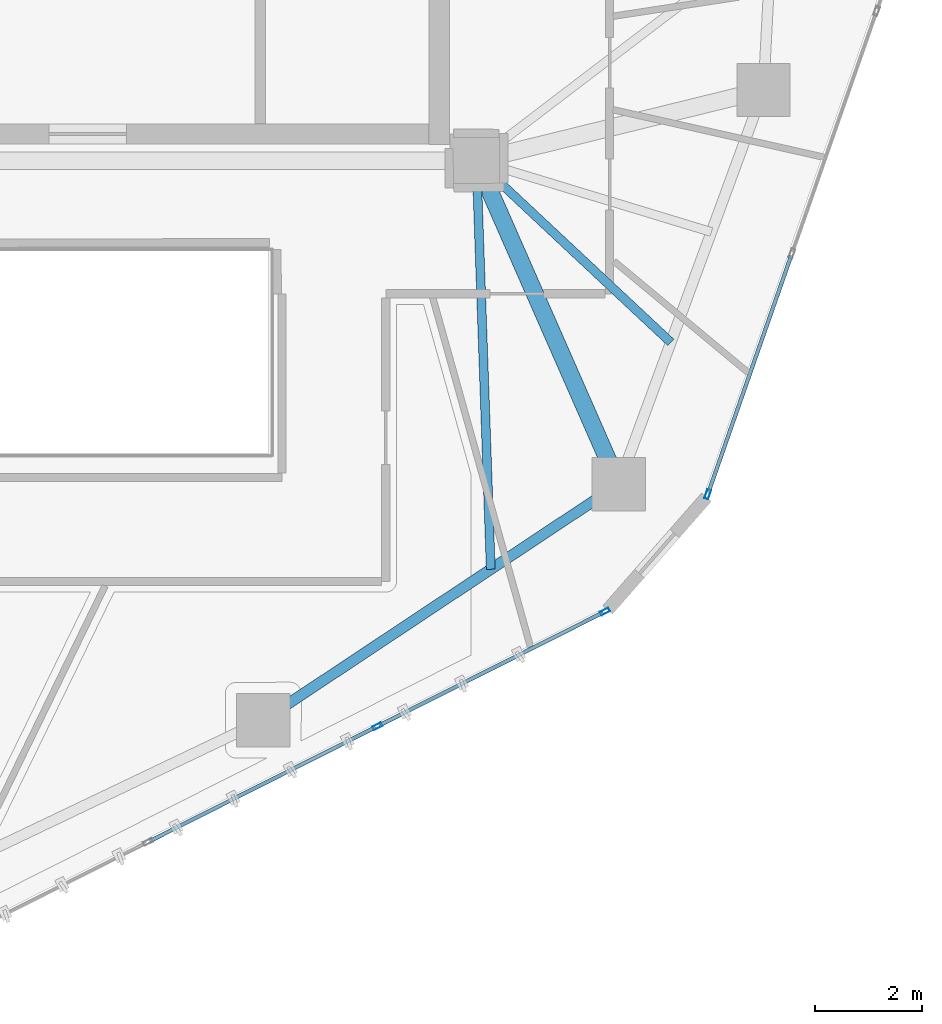
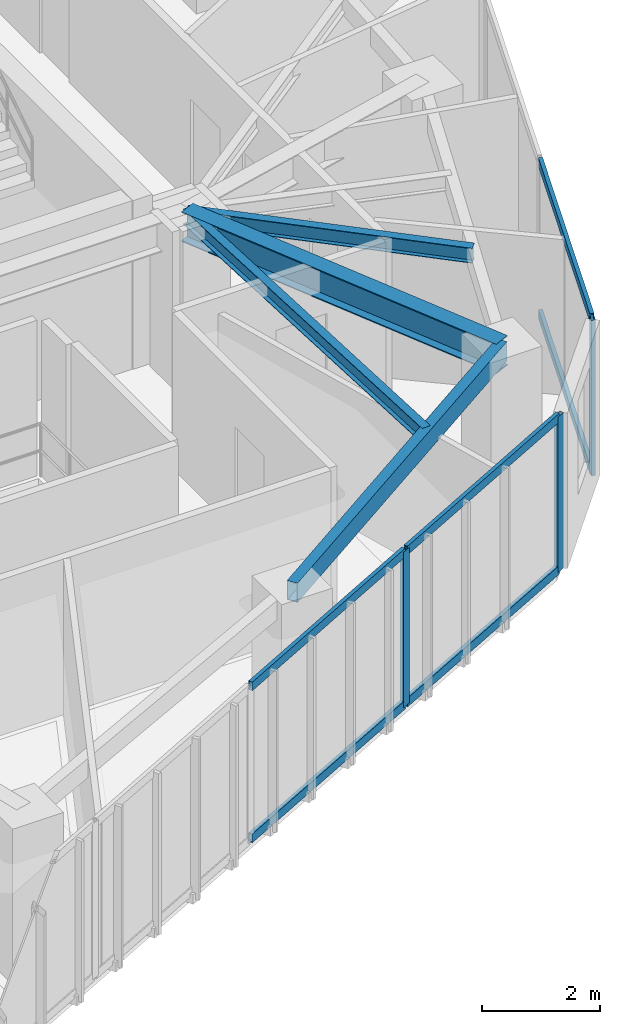
# One storey, part 5 of 20: 9 members, 4 beams, 2 elements without a shape of their own.
"""IFC4 building model written with IfcOpenShell, lengths in metres."""

import ifcopenshell
import ifcopenshell.guid

model = None  # the IFC model being written
_history = None  # IfcOwnerHistory: only IFC2X3 demands one
_inside = {}  # id of a spatial element -> (the spatial element, [elements in it])
_under = {}  # id of a project, library or spatial element -> (it, [spatial elements below it])
_declared = {}  # id of a project -> (the project, [libraries it declares])
_typed = {}  # id of a type object -> (the type object, [elements of that type])
_made_of = {}  # id of a material, layer set ... -> (it, [elements and type objects made of it])


def new_model(schema):
    """Start an empty IFC model of exactly this schema.

    Asked for "IFC4X3", IfcOpenShell would pick the latest addendum, in which some entities
    have other attributes; the version numbers below select the first issue.
    IFC2X3 requires an IfcOwnerHistory on every rooted entity: one is made here for all.
    """
    global model, _history
    if schema == "IFC4X3":
        model = ifcopenshell.file(schema_version=(4, 3, 0, 0))
    else:
        model = ifcopenshell.file(schema=schema)
    _inside.clear()
    _under.clear()
    _declared.clear()
    _typed.clear()
    _made_of.clear()
    _history = None
    if model.schema == "IFC2X3":
        org = make("IfcOrganization", Name="unknown")
        user = make(
            "IfcPersonAndOrganization",
            ThePerson=make("IfcPerson", FamilyName="unknown"),
            TheOrganization=org,
        )
        app = make(
            "IfcApplication",
            ApplicationDeveloper=org,
            Version="unknown",
            ApplicationFullName="unknown",
            ApplicationIdentifier="unknown",
        )
        _history = make(
            "IfcOwnerHistory",
            OwningUser=user,
            OwningApplication=app,
            ChangeAction="ADDED",
            CreationDate=0,
        )
    return model


def make(cls, **values):
    """One entity of the class cls with the attributes given. An attribute that is None is left unset."""
    return model.create_entity(
        cls, **{name: value for name, value in values.items() if value is not None}
    )


def rooted(cls, **values):
    """An entity with a GlobalId (a new one), such as an element, a storey or a relation."""
    return make(cls, GlobalId=ifcopenshell.guid.new(), OwnerHistory=_history, **values)


def si_unit(unit_type, name, prefix=None):
    """IfcSIUnit, for example si_unit("LENGTHUNIT", "METRE", prefix="MILLI")."""
    return make("IfcSIUnit", UnitType=unit_type, Prefix=prefix, Name=name)


def assignment(units):
    """IfcUnitAssignment: the units of a project."""
    return None if units is None else make("IfcUnitAssignment", Units=units)


def point(xyz):
    """IfcCartesianPoint."""
    return None if xyz is None else make("IfcCartesianPoint", Coordinates=xyz)


def direction(xyz):
    """IfcDirection."""
    return None if xyz is None else make("IfcDirection", DirectionRatios=xyz)


def frame(location, z_axis=None, x_axis=None):
    """IfcAxis2Placement3D, a coordinate frame: its origin and axes. An axis left out is left unset."""
    return make(
        "IfcAxis2Placement3D",
        Location=point(location),
        Axis=direction(z_axis),
        RefDirection=direction(x_axis),
    )


def frame_2d(location, x_axis=None):
    """IfcAxis2Placement2D, a coordinate frame in the plane: its origin and x axis."""
    return make(
        "IfcAxis2Placement2D", Location=point(location), RefDirection=direction(x_axis)
    )


def origin():
    """The frame at (0, 0, 0) with its axes left unset."""
    return frame((0.0, 0.0, 0.0))


def origin_2d():
    """The frame at (0, 0) in the plane with its x axis left unset."""
    return frame_2d((0.0, 0.0))


def place(relative_to, where):
    """IfcLocalPlacement: puts the frame where relative to a parent placement (None: the world)."""
    return make(
        "IfcLocalPlacement", PlacementRelTo=relative_to, RelativePlacement=where
    )


def context(
    kind, dimensions, precision=None, world=None, true_north=None, identifier=None
):
    """IfcGeometricRepresentationContext, for example the 3D "Model" context."""
    return make(
        "IfcGeometricRepresentationContext",
        ContextIdentifier=identifier,
        ContextType=kind,
        CoordinateSpaceDimension=dimensions,
        Precision=precision,
        WorldCoordinateSystem=world,
        TrueNorth=true_north,
    )


def subcontext(parent, identifier, kind, view, scale=None):
    """IfcGeometricRepresentationSubContext, for example "Body" below "Model"."""
    return make(
        "IfcGeometricRepresentationSubContext",
        ContextIdentifier=identifier,
        ContextType=kind,
        ParentContext=parent,
        TargetScale=scale,
        TargetView=view,
    )


def project(units=None, contexts=None):
    """IfcProject with its units and contexts."""
    return rooted(
        "IfcProject",
        Name="project",
        RepresentationContexts=contexts,
        UnitsInContext=assignment(units),
    )


def spatial(cls, under=None, at=None, **own):
    """A site, building, storey or space (cls), placed at a placement, below another one or the project."""
    s = rooted(cls, ObjectPlacement=at, **own)
    if under is not None:
        _under.setdefault(under.id(), (under, []))[1].append(s)
    return s


def profile(cls, at=None, kind="AREA", **sizes):
    """A parametric profile (cls). Its sizes go by their IFC names, for example OverallWidth=200.0."""
    return make(cls, ProfileType=kind, Position=at, **sizes)


def hollow_rectangle(**sizes):
    """IfcRectangleHollowProfileDef."""
    return profile("IfcRectangleHollowProfileDef", **sizes)


def i_section(**sizes):
    """IfcIShapeProfileDef."""
    return profile("IfcIShapeProfileDef", **sizes)


def extrude(swept, where, along, depth):
    """IfcExtrudedAreaSolid: the profile swept, set in the frame where, extruded along a direction by depth."""
    return make(
        "IfcExtrudedAreaSolid",
        SweptArea=swept,
        Position=where,
        ExtrudedDirection=direction(along),
        Depth=depth,
    )


def shape(context_of_items, identifier, shape_type, items):
    """IfcShapeRepresentation: the items that make up one representation, for example the "Body"."""
    return make(
        "IfcShapeRepresentation",
        ContextOfItems=context_of_items,
        RepresentationIdentifier=identifier,
        RepresentationType=shape_type,
        Items=items,
    )


def source(mapping_origin, context_of_items, identifier, shape_type, items):
    """IfcRepresentationMap: a shape defined once, which mapped items show again and again."""
    return make(
        "IfcRepresentationMap",
        MappingOrigin=mapping_origin,
        MappedRepresentation=shape(context_of_items, identifier, shape_type, items),
    )


def transform(
    local_origin,
    x_axis=None,
    y_axis=None,
    z_axis=None,
    scale=None,
    scale2=None,
    scale3=None,
    uniform=True,
):
    """IfcCartesianTransformationOperator3D, or its non-uniform kind. x_axis, y_axis, z_axis: its Axis1, 2, 3."""
    if uniform:
        return make(
            "IfcCartesianTransformationOperator3D",
            Axis1=direction(x_axis),
            Axis2=direction(y_axis),
            LocalOrigin=point(local_origin),
            Scale=scale,
            Axis3=direction(z_axis),
        )
    return make(
        "IfcCartesianTransformationOperator3DnonUniform",
        Axis1=direction(x_axis),
        Axis2=direction(y_axis),
        LocalOrigin=point(local_origin),
        Scale=scale,
        Axis3=direction(z_axis),
        Scale2=scale2,
        Scale3=scale3,
    )


def mapped(mapping_source, mapping_target):
    """IfcMappedItem: shows the shape of a source again, moved by a transform."""
    return make(
        "IfcMappedItem", MappingSource=mapping_source, MappingTarget=mapping_target
    )


def material(Name=None, Category=None):
    """IfcMaterial."""
    return make("IfcMaterial", Name=Name, Category=Category)


def layer(
    of_material, thickness, ventilated=None, Name=None, Category=None, Priority=None
):
    """IfcMaterialLayer: one layer of a wall or slab, of a material (None: an air gap)."""
    return make(
        "IfcMaterialLayer",
        Material=of_material,
        LayerThickness=thickness,
        IsVentilated=ventilated,
        Name=Name,
        Category=Category,
        Priority=Priority,
    )


def layer_set(layers, Name=None):
    """IfcMaterialLayerSet."""
    return make("IfcMaterialLayerSet", MaterialLayers=layers, LayerSetName=Name)


def material_profile(
    of_material, cross_section, Name=None, Category=None, Priority=None
):
    """IfcMaterialProfile: a cross section and its material."""
    return make(
        "IfcMaterialProfile",
        Name=Name,
        Material=of_material,
        Profile=cross_section,
        Priority=Priority,
        Category=Category,
    )


def profile_set(profiles, Name=None, composite=None):
    """IfcMaterialProfileSet."""
    return make(
        "IfcMaterialProfileSet",
        Name=Name,
        MaterialProfiles=profiles,
        CompositeProfile=composite,
    )


def made_of(thing, what):
    """Note that an element or type object is made of a material, layer set ...; save() writes the relation."""
    if what is not None:
        _made_of.setdefault(what.id(), (what, []))[1].append(thing)
    return thing


def type_object(cls, material=None, **own):
    """A type object (cls), such as IfcWallType, which elements share."""
    return made_of(rooted(cls, **own), material)


def type_shapes(of_type, sources):
    """Give a type object the sources (RepresentationMaps) that its elements show as mapped items."""
    of_type.RepresentationMaps = sources


def element(
    cls,
    number,
    at=None,
    inside=None,
    cuts=None,
    type_object=None,
    material=None,
    context=None,
    identifier="Body",
    shape_type=None,
    held_by="IfcProductDefinitionShape",
    body=None,
    shapes=None,
    **own,
):
    """One element of the class cls, such as IfcWall. Its Tag is "e" and its number.

    at: its placement. inside: the storey or other place that contains it. cuts: it is an
    opening in that element (IfcRelVoidsElement). A single representation is given by context,
    identifier, shape_type and body (its items); several are given by shapes. held_by: the class
    of the entity that holds the representations. save() writes the other relations.
    """
    e = rooted(cls, Tag="e%d" % number, ObjectPlacement=at, **own)
    if body is not None:
        shapes = [shape(context, identifier, shape_type, body)]
    if shapes is not None:
        e.Representation = make(held_by, Representations=shapes)
    if inside is not None:
        _inside.setdefault(inside.id(), (inside, []))[1].append(e)
    if cuts is not None:
        rooted(
            "IfcRelVoidsElement", RelatingBuildingElement=cuts, RelatedOpeningElement=e
        )
    if type_object is not None:
        _typed.setdefault(type_object.id(), (type_object, []))[1].append(e)
    return made_of(e, material)


def aggregate(whole, parts):
    """IfcRelAggregates: a whole, such as a stair, and the parts it consists of."""
    return rooted("IfcRelAggregates", RelatingObject=whole, RelatedObjects=parts)


def save(model, path):
    """Write the relations noted so far, then the file.

    IfcRelAggregates (storeys below a building ...), IfcRelContainedInSpatialStructure (elements
    in a storey), IfcRelDefinesByType, IfcRelAssociatesMaterial and IfcRelDeclares: one each for
    every whole, place, type object, material and project.
    """
    for whole, parts in _under.values():
        aggregate(whole, parts)
    for where, things in _inside.values():
        rooted(
            "IfcRelContainedInSpatialStructure",
            RelatedElements=things,
            RelatingStructure=where,
        )
    for kind, things in _typed.values():
        rooted("IfcRelDefinesByType", RelatedObjects=things, RelatingType=kind)
    for what, things in _made_of.values():
        rooted("IfcRelAssociatesMaterial", RelatedObjects=things, RelatingMaterial=what)
    for by, libraries in _declared.values():
        rooted("IfcRelDeclares", RelatingContext=by, RelatedDefinitions=libraries)
    model.write(path)


model = new_model("IFC4")

# Units and contexts
model_context = context("Model", 3, precision=1e-05, world=origin(), true_north=direction((0.0, 1.0)))
body_context = subcontext(model_context, "Body", "Model", "MODEL_VIEW")
ifc_project = project(units=[si_unit("LENGTHUNIT", "METRE"), si_unit("AREAUNIT", "SQUARE_METRE"), si_unit("VOLUMEUNIT", "CUBIC_METRE"), si_unit("PLANEANGLEUNIT", "RADIAN"), si_unit("MASSUNIT", "GRAM", prefix="KILO")], contexts=[model_context])

# Site, building, storey
site_placement = place(None, origin())
site = spatial("IfcSite", under=ifc_project, at=site_placement, CompositionType="ELEMENT")
building_placement = place(site_placement, origin())
building = spatial("IfcBuilding", under=site, at=building_placement, Name="Talar Marvaseh", CompositionType="ELEMENT")
storey_placement = place(building_placement, frame((0.0, 0.0, 170.5)))
storey = spatial("IfcBuildingStorey", under=building, at=storey_placement, Name="L44", CompositionType="ELEMENT", Elevation=170.5)

# Beams
ifc_material_1 = material(Name="Steel S355", Category="steel")
ifc_material_profile_1 = material_profile(ifc_material_1, hollow_rectangle(XDim=0.199951171875, YDim=0.39990234375, WallThickness=0.013916015625, at=origin_2d()), Name="RHS400x200x14")
ifc_profile_set_1 = profile_set([ifc_material_profile_1], Name="Steel S355")
beam_type_1 = type_object("IfcBeamType", Name="Zone 3 Perimeter Spandrel Beam RHS400x200x14", PredefinedType="SPANDREL", material=ifc_profile_set_1)
beam_1_placement = place(storey_placement, frame((35.970947265625, 19.423095703125, 3.030029296875), z_axis=(-0.833127464163, -0.553081032452, 0.0), x_axis=(0.553081032452, -0.833127464163, 0.0)))
element("IfcBeam", 1, at=beam_1_placement, inside=storey, type_object=beam_type_1, Name="L44 Zone 3 Perimeter Spandrel Beam RHS400x200x14", PredefinedType="SPANDREL", context=body_context, shape_type="SweptSolid", body=[
    extrude(hollow_rectangle(XDim=0.199951171875, YDim=0.39990234375, WallThickness=0.013916015625, at=origin_2d()), origin(), (0.0, 0.0, 1.0), 8.00830078125),
])
ifc_material_profile_2 = material_profile(ifc_material_1, i_section(OverallWidth=0.324951171875, OverallDepth=0.615966796875, WebThickness=0.013916015625, FlangeThickness=0.021484375, at=origin_2d()), Name="W610x174")
ifc_profile_set_2 = profile_set([ifc_material_profile_2], Name="Steel S355")
beam_type_2 = type_object("IfcBeamType", Name="Zone 3 Radial Floor Girder W610x174", PredefinedType="BEAM", material=ifc_profile_set_2)
beam_2_placement = place(storey_placement, frame((35.970947265625, 19.423095703125, 2.922119140625), z_axis=(-0.402367581672, 0.91547819702, 0.0), x_axis=(-0.91547819702, -0.402367581672, 0.0)))
element("IfcBeam", 2, at=beam_2_placement, inside=storey, type_object=beam_type_2, Name="L44 Zone 3 Radial Floor Girder W610x174", PredefinedType="BEAM", context=body_context, shape_type="SweptSolid", body=[
    extrude(i_section(OverallWidth=0.324951171875, OverallDepth=0.615966796875, WebThickness=0.013916015625, FlangeThickness=0.021484375, at=origin_2d()), origin(), (0.0, 0.0, 1.0), 6.637939453125),
])
ifc_material_profile_3 = material_profile(ifc_material_1, i_section(OverallWidth=0.166015625, OverallDepth=0.31298828125, WebThickness=0.006591796875, FlangeThickness=0.01123046875, at=origin_2d()), Name="W310x45")
ifc_profile_set_3 = profile_set([ifc_material_profile_3], Name="Steel S355")
beam_type_3 = type_object("IfcBeamType", Name="Zone 3 Secondary Floor Joist W310x45", PredefinedType="JOIST", material=ifc_profile_set_3)
beam_3_placement = place(storey_placement, frame((36.949462890625, 22.08740234375, 3.073486328125), z_axis=(-0.730408226886, 0.683010850643, 0.0), x_axis=(-0.683010850643, -0.730408226886, 0.0)))
element("IfcBeam", 3, at=beam_3_placement, inside=storey, type_object=beam_type_3, Name="L44 Zone 3 Secondary Floor Joist W310x45", PredefinedType="JOIST", context=body_context, shape_type="SweptSolid", body=[
    extrude(i_section(OverallWidth=0.166015625, OverallDepth=0.31298828125, WebThickness=0.006591796875, FlangeThickness=0.01123046875, at=origin_2d()), origin(), (0.0, 0.0, 1.0), 4.996337890625),
])
beam_4_placement = place(storey_placement, frame((33.569091796875, 17.82861328125, 3.073486328125), z_axis=(-0.035049421089, 0.999385580285, 0.0), x_axis=(-0.999385580285, -0.035049421089, 0.0)))
element("IfcBeam", 4, at=beam_4_placement, inside=storey, type_object=beam_type_3, Name="L44 Zone 3 Secondary Floor Joist W310x45", PredefinedType="JOIST", context=body_context, shape_type="SweptSolid", body=[
    extrude(i_section(OverallWidth=0.166015625, OverallDepth=0.31298828125, WebThickness=0.006591796875, FlangeThickness=0.01123046875, at=origin_2d()), origin(), (0.0, 0.0, 1.0), 7.676025390625),
])

# Curtain wall, member
ifc_material_2 = material(Name="Architectural Aluminium", Category="aluminium")
ifc_layer = layer(ifc_material_2, 0.18994140625)
ifc_layer_set = layer_set([ifc_layer], Name="Architectural Aluminium")
curtain_wall_type = type_object("IfcCurtainWallType", Name="Unitised Solar Atelier Curtain Wall Z3", PredefinedType="NOTDEFINED", material=ifc_layer_set)
curtain_wall_1_placement = place(storey_placement, origin())
curtain_wall_1 = element("IfcCurtainWall", 5, at=curtain_wall_1_placement, inside=storey, type_object=curtain_wall_type, Name="L44 Unitised Solar Atelier Curtain Wall Z3", PredefinedType="NOTDEFINED")
ifc_material_profile_4 = material_profile(ifc_material_2, hollow_rectangle(XDim=0.074951171875, YDim=0.179931640625, WallThickness=0.0048828125, at=origin_2d()), Name="RHS180x75x5")
ifc_profile_set_4 = profile_set([ifc_material_profile_4], Name="Architectural Aluminium")
member_type_1 = type_object("IfcMemberType", Name="Unitised Curtain Wall Standard Mullion RHS180x75x5", PredefinedType="MULLION", material=ifc_profile_set_4)
shared_shape_1 = source(origin(), body_context, "Body", "SweptSolid", [
    extrude(hollow_rectangle(XDim=0.074951171875, YDim=0.179931640625, WallThickness=0.0048828125, at=origin_2d()), origin(), (0.0, 0.0, 1.0), 3.22998046875),
])
type_shapes(member_type_1, [shared_shape_1])
member_1_placement = place(storey_placement, frame((37.643310546875, 19.2373046875, 0.0), z_axis=(0.0, 0.0, 1.0), x_axis=(0.944037331533, -0.329838622166, 0.0)))
member_1 = element("IfcMember", 6, at=member_1_placement, type_object=member_type_1, Name="CW-Z3 mullion 5", PredefinedType="MULLION", context=body_context, shape_type="MappedRepresentation", body=[
    mapped(shared_shape_1, transform((0.0, 0.0, 0.0), x_axis=(1.0, 0.0, 0.0), y_axis=(0.0, 1.0, 0.0), z_axis=(0.0, 0.0, 1.0), scale=1.0)),
])

# Curtain wall, members
curtain_wall_2_placement = place(storey_placement, origin())
curtain_wall_2 = element("IfcCurtainWall", 7, at=curtain_wall_2_placement, inside=storey, type_object=curtain_wall_type, Name="L44 Unitised Solar Atelier Curtain Wall Z3", PredefinedType="NOTDEFINED")
member_2_placement = place(storey_placement, frame((35.7119140625, 17.03466796875, 0.0), z_axis=(0.0, 0.0, 1.0), x_axis=(0.450234656041, -0.892910272367, 0.0)))
member_2 = element("IfcMember", 8, at=member_2_placement, type_object=member_type_1, Name="CW-Z3 mullion 1", PredefinedType="MULLION", context=body_context, shape_type="MappedRepresentation", body=[
    mapped(shared_shape_1, transform((0.0, 0.0, 0.0), x_axis=(1.0, 0.0, 0.0), y_axis=(0.0, 1.0, 0.0), z_axis=(0.0, 0.0, 1.0), scale=1.0)),
])
member_3_placement = place(storey_placement, frame((31.439697265625, 14.88037109375, 0.0), z_axis=(0.0, 0.0, 1.0), x_axis=(0.450234656041, -0.892910272367, 0.0)))
member_3 = element("IfcMember", 9, at=member_3_placement, type_object=member_type_1, Name="CW-Z3 mullion 2", PredefinedType="MULLION", context=body_context, shape_type="MappedRepresentation", body=[
    mapped(shared_shape_1, transform((0.0, 0.0, 0.0), x_axis=(1.0, 0.0, 0.0), y_axis=(0.0, 1.0, 0.0), z_axis=(0.0, 0.0, 1.0), scale=1.0)),
])
ifc_material_profile_5 = material_profile(ifc_material_2, hollow_rectangle(XDim=0.074951171875, YDim=0.179931640625, WallThickness=0.0048828125, at=origin_2d()), Name="RHS180x75x5")
ifc_profile_set_5 = profile_set([ifc_material_profile_5], Name="Architectural Aluminium")
member_type_2 = type_object("IfcMemberType", Name="Unitised Curtain Wall Transom RHS180x75x5", PredefinedType="USERDEFINED", material=ifc_profile_set_5)
shared_shape_2 = source(origin(), body_context, "Body", "SweptSolid", [
    extrude(hollow_rectangle(XDim=0.074951171875, YDim=0.179931640625, WallThickness=0.0048828125, at=origin_2d()), origin(), (0.0, 0.0, 1.0), 4.70947265625),
])
member_4_placement = place(storey_placement, frame((35.67822265625, 17.017822265625, 0.03759765625), z_axis=(-0.892887470099, -0.4502798749, 0.0), x_axis=(0.4502798749, -0.892887470099, 0.0)))
member_4 = element("IfcMember", 10, at=member_4_placement, type_object=member_type_2, Name="CW-Z3 transom 1.1", ObjectType="TRANSOM", PredefinedType="USERDEFINED", context=body_context, shape_type="MappedRepresentation", body=[
    mapped(shared_shape_2, transform((0.0, 0.0, 0.0), x_axis=(1.0, 0.0, 0.0), y_axis=(0.0, 1.0, 0.0), z_axis=(0.0, 0.0, 1.0), scale=1.0)),
])
member_5_placement = place(storey_placement, frame((35.67822265625, 17.017822265625, 3.1923828125), z_axis=(-0.892887470099, -0.4502798749, 0.0), x_axis=(0.4502798749, -0.892887470099, 0.0)))
member_5 = element("IfcMember", 11, at=member_5_placement, type_object=member_type_2, Name="CW-Z3 transom 1.2", ObjectType="TRANSOM", PredefinedType="USERDEFINED", context=body_context, shape_type="MappedRepresentation", body=[
    mapped(shared_shape_2, transform((0.0, 0.0, 0.0), x_axis=(1.0, 0.0, 0.0), y_axis=(0.0, 1.0, 0.0), z_axis=(0.0, 0.0, 1.0), scale=1.0)),
])
shared_shape_3 = source(origin(), body_context, "Body", "SweptSolid", [
    extrude(hollow_rectangle(XDim=0.074951171875, YDim=0.179931640625, WallThickness=0.0048828125, at=origin_2d()), origin(), (0.0, 0.0, 1.0), 4.7470703125),
])
member_6_placement = place(storey_placement, frame((31.40625, 14.863525390625, 0.03759765625), z_axis=(-0.892920404331, -0.450214561658, 0.0), x_axis=(0.450214561658, -0.892920404331, 0.0)))
member_6 = element("IfcMember", 12, at=member_6_placement, type_object=member_type_2, Name="CW-Z3 transom 2.1", ObjectType="TRANSOM", PredefinedType="USERDEFINED", context=body_context, shape_type="MappedRepresentation", body=[
    mapped(shared_shape_3, transform((0.0, 0.0, 0.0), x_axis=(1.0, 0.0, 0.0), y_axis=(0.0, 1.0, 0.0), z_axis=(0.0, 0.0, 1.0), scale=1.0)),
])
member_7_placement = place(storey_placement, frame((31.40625, 14.863525390625, 3.1923828125), z_axis=(-0.892920404331, -0.450214561658, 0.0), x_axis=(0.450214561658, -0.892920404331, 0.0)))
member_7 = element("IfcMember", 13, at=member_7_placement, type_object=member_type_2, Name="CW-Z3 transom 2.2", ObjectType="TRANSOM", PredefinedType="USERDEFINED", context=body_context, shape_type="MappedRepresentation", body=[
    mapped(shared_shape_3, transform((0.0, 0.0, 0.0), x_axis=(1.0, 0.0, 0.0), y_axis=(0.0, 1.0, 0.0), z_axis=(0.0, 0.0, 1.0), scale=1.0)),
])
aggregate(curtain_wall_2, [member_2, member_3, member_4, member_5, member_6, member_7])

# Member
shared_shape_4 = source(origin(), body_context, "Body", "SweptSolid", [
    extrude(hollow_rectangle(XDim=0.074951171875, YDim=0.179931640625, WallThickness=0.0048828125, at=origin_2d()), origin(), (0.0, 0.0, 1.0), 4.709716796875),
])
type_shapes(member_type_2, [shared_shape_2, shared_shape_3, shared_shape_4])
member_8_placement = place(storey_placement, frame((39.209228515625, 23.71875, 0.03759765625), z_axis=(-0.329849309743, -0.944033597316, 0.0), x_axis=(0.944033597316, -0.329849309743, 0.0)))
member_8 = element("IfcMember", 14, at=member_8_placement, type_object=member_type_2, Name="CW-Z3 transom 4.1", ObjectType="TRANSOM", PredefinedType="USERDEFINED", context=body_context, shape_type="MappedRepresentation", body=[
    mapped(shared_shape_4, transform((0.0, 0.0, 0.0), x_axis=(1.0, 0.0, 0.0), y_axis=(0.0, 1.0, 0.0), z_axis=(0.0, 0.0, 1.0), scale=1.0)),
])

member_9_placement = place(storey_placement, frame((39.209228515625, 23.71875, 3.1923828125), z_axis=(-0.329849309743, -0.944033597316, 0.0), x_axis=(0.944033597316, -0.329849309743, 0.0)))
member_9 = element("IfcMember", 15, at=member_9_placement, type_object=member_type_2, Name="CW-Z3 transom 4.2", ObjectType="TRANSOM", PredefinedType="USERDEFINED", context=body_context, shape_type="MappedRepresentation", body=[
    mapped(shared_shape_4, transform((0.0, 0.0, 0.0), x_axis=(1.0, 0.0, 0.0), y_axis=(0.0, 1.0, 0.0), z_axis=(0.0, 0.0, 1.0), scale=1.0)),
])

aggregate(curtain_wall_1, [member_1, member_8, member_9])

save(model, "model.ifc")
